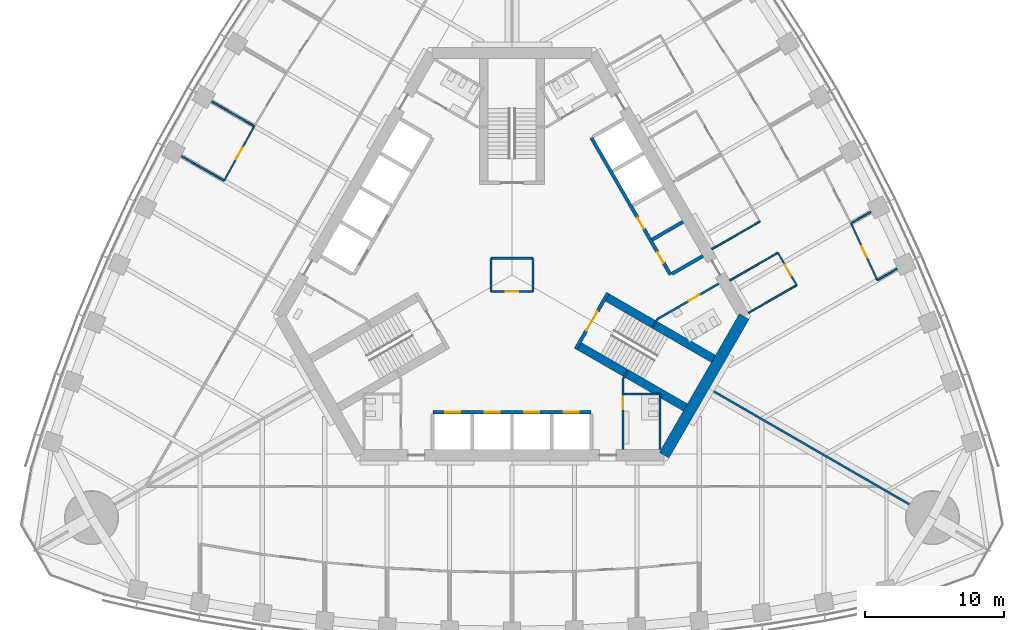
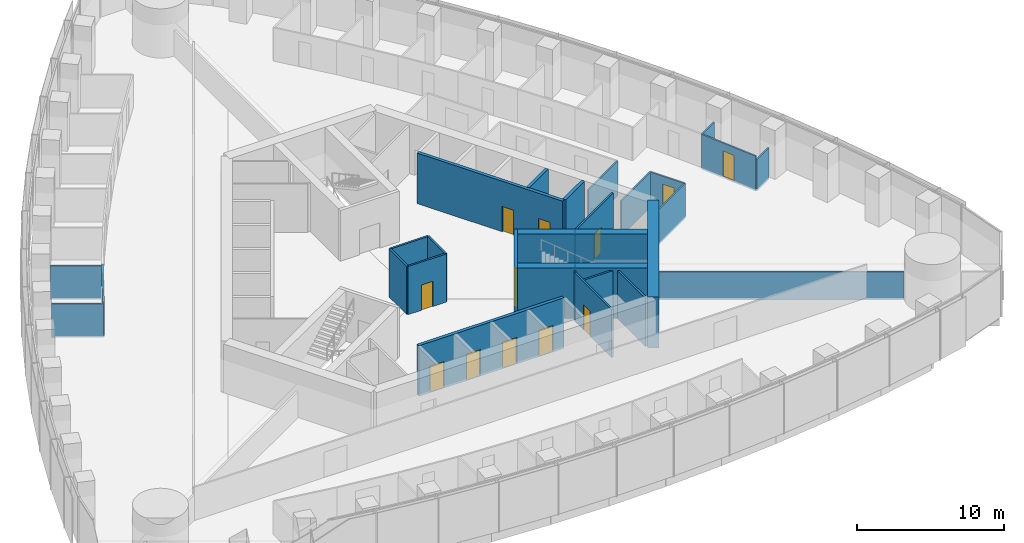
# One storey, part 13 of 21: 29 walls, 13 doors, 13 openings.
"""IFC4 building model written with IfcOpenShell, lengths in metres."""

from ifc_helpers import new_model, si_unit, direction, frame, frame_2d, origin, place, context, subcontext, project, spatial, rectangle, extrude, material, layer, layer_set, type_object, element, fill, save


model = new_model("IFC4")

# Units and contexts
model_context = context("Model", 3, precision=1e-05, world=origin(), true_north=direction((0.0, 1.0)))
body_context = subcontext(model_context, "Body", "Model", "MODEL_VIEW")
ifc_project = project(units=[si_unit("LENGTHUNIT", "METRE"), si_unit("AREAUNIT", "SQUARE_METRE"), si_unit("VOLUMEUNIT", "CUBIC_METRE"), si_unit("PLANEANGLEUNIT", "RADIAN"), si_unit("MASSUNIT", "GRAM", prefix="KILO")], contexts=[model_context])

# Site, building, storey
site_placement = place(None, origin())
site = spatial("IfcSite", under=ifc_project, at=site_placement, CompositionType="ELEMENT")
building_placement = place(site_placement, origin())
building = spatial("IfcBuilding", under=site, at=building_placement, Name="Trefoil Bronze Tower", CompositionType="ELEMENT")
storey_placement = place(building_placement, frame((0.0, 0.0, 153.5)))
storey = spatial("IfcBuildingStorey", under=building, at=storey_placement, Name="L35", CompositionType="ELEMENT", Elevation=153.5)

# Wall
ifc_material_1 = material(Name="Concrete B80", Category="concrete")
ifc_layer_1 = layer(ifc_material_1, 0.800048828125)
ifc_layer_set_1 = layer_set([ifc_layer_1], Name="Core wall 800")
wall_type_1 = type_object("IfcWallType", Name="Core wall 800", PredefinedType="SHEAR", material=ifc_layer_set_1)
wall_1_placement = place(storey_placement, frame((10.9697265625, -13.0, 0.0), z_axis=(0.0, 0.0, 1.0), x_axis=(0.499995765644, 0.866027848477, 0.0)))
element("IfcWall", 1, at=wall_1_placement, inside=storey, type_object=wall_type_1, Name="Core short wall 1 L35", PredefinedType="SHEAR", context=body_context, shape_type="SweptSolid", body=[
    extrude(rectangle(XDim=11.546875, YDim=0.800048828125, at=frame_2d((5.7734375, 0.0))), origin(), (0.0, 0.0, 1.0), 4.199951171875),
])

# Wall, opening, door
ifc_material_2 = material(Name="Glazed partition", Category="glass")
ifc_layer_2 = layer(ifc_material_2, 0.1201171875)
ifc_layer_set_2 = layer_set([ifc_layer_2], Name="Glazed partition 120")
wall_type_2 = type_object("IfcWallType", Name="Glazed partition 120", PredefinedType="PARTITIONING", material=ifc_layer_set_2)
wall_2_placement = place(storey_placement, frame((20.518798828125, -0.73974609375, 0.0), z_axis=(0.0, 0.0, 1.0), x_axis=(-0.4999416173, 0.866059108428, 0.0)))
wall_2 = element("IfcWall", 2, at=wall_2_placement, inside=storey, type_object=wall_type_2, Name="Partition F2 L35", PredefinedType="PARTITIONING", context=body_context, shape_type="SweptSolid", body=[
    extrude(rectangle(XDim=2.699951171875, YDim=0.1201171875, at=frame_2d((1.35009765625, 0.0))), origin(), (0.0, 0.0, 1.0), 2.89990234375),
])
opening_1_placement = place(wall_2_placement, frame((0.800048828125, 0.0, 0.14990234375)))
opening_1 = element("IfcOpeningElement", 3, at=opening_1_placement, cuts=wall_2, Name="Opening D8", PredefinedType="OPENING", context=body_context, shape_type="SweptSolid", body=[
    extrude(rectangle(XDim=0.89990234375, YDim=2.10009765625, at=frame_2d((0.449951171875, 1.050048828125))), frame((0.0, 0.070068359375, 0.0), z_axis=(0.0, -1.0, 0.0), x_axis=(1.0, 0.0, 0.0)), (0.0, 0.0, 1.0), 0.14013671875),
])
ifc_material_3 = material(Name="Timber door", Category="wood")
door_type_1 = type_object("IfcDoorType", Name="Office door 900", OperationType="SINGLE_SWING_LEFT", PredefinedType="DOOR", material=ifc_material_3)
door_1_placement = place(opening_1_placement, origin())
door_1 = element("IfcDoor", 4, at=door_1_placement, inside=storey, type_object=door_type_1, Name="Pantry door F2 L35", OperationType="SINGLE_SWING_LEFT", OverallHeight=2.10009765625, OverallWidth=0.89990234375, PredefinedType="DOOR", context=body_context, shape_type="SweptSolid", body=[
    extrude(rectangle(XDim=0.89990234375, YDim=2.10009765625, at=frame_2d((0.449951171875, 1.050048828125))), frame((0.0, 0.02490234375, 0.0), z_axis=(0.0, -1.0, 0.0), x_axis=(1.0, 0.0, 0.0)), (0.0, 0.0, 1.0), 0.050048828125),
])
fill(opening_1, door_1)

# Walls
for number, where, z_axis, x_axis, name in (
    (5, (17.0546875, -2.73974609375, 0.0), (0.0, 0.0, 1.0), (0.866026010844, 0.49999894854, 0.0), "Partition F2 L35"),
    (6, (14.40478515625, 1.850341796875, 0.0), (0.0, 0.0, 1.0), (0.866026010844, 0.49999894854, 0.0), "Partition F2 L35"),
    (7, (15.704833984375, -0.4013671875, 0.0), (0.0, 0.0, 1.0), (0.866026010844, 0.49999894854, 0.0), "Partition F2 L35"),
):
    element("IfcWall", number, at=place(storey_placement, frame(where, z_axis=z_axis, x_axis=x_axis)), inside=storey, type_object=wall_type_2, Name=name, PredefinedType="PARTITIONING", context=body_context, shape_type="SweptSolid", body=[
        extrude(rectangle(XDim=4.0, YDim=0.1201171875, at=frame_2d((2.0, 0.0))), origin(), (0.0, 0.0, 1.0), 2.89990234375),
    ])

# Wall, opening, door
wall_3_placement = place(storey_placement, frame((26.337646484375, -0.38232421875, 0.0), z_axis=(0.0, 0.0, 1.0), x_axis=(-0.419948870618, 0.907547765171, 0.0)))
wall_3 = element("IfcWall", 8, at=wall_3_placement, inside=storey, type_object=wall_type_2, Name="Partition F2 L35", PredefinedType="PARTITIONING", context=body_context, shape_type="SweptSolid", body=[
    extrude(rectangle(XDim=4.518310546875, YDim=0.1201171875, at=frame_2d((2.25927734375, 0.0))), origin(), (0.0, 0.0, 1.0), 2.89990234375),
])
opening_2_placement = place(wall_3_placement, frame((1.800048828125, 0.0, 0.14990234375)))
opening_2 = element("IfcOpeningElement", 9, at=opening_2_placement, cuts=wall_3, Name="Opening D8", PredefinedType="OPENING", context=body_context, shape_type="SweptSolid", body=[
    extrude(rectangle(XDim=0.89990234375, YDim=2.10009765625, at=frame_2d((0.449951171875, 1.050048828125))), frame((0.0, 0.070068359375, 0.0), z_axis=(0.0, -1.0, 0.0), x_axis=(1.0, 0.0, 0.0)), (0.0, 0.0, 1.0), 0.14013671875),
])
door_2_placement = place(opening_2_placement, frame((0.89990234375, 0.0, 0.0), z_axis=(0.0, 0.0, 1.0), x_axis=(-1.0, 0.0, 0.0)))
door_2 = element("IfcDoor", 10, at=door_2_placement, inside=storey, type_object=door_type_1, Name="Comms room door F2 L35", OperationType="SINGLE_SWING_RIGHT", OverallHeight=2.10009765625, OverallWidth=0.89990234375, PredefinedType="DOOR", context=body_context, shape_type="SweptSolid", body=[
    extrude(rectangle(XDim=0.89990234375, YDim=2.10009765625, at=frame_2d((0.449951171875, 1.050048828125))), frame((0.0, 0.02490234375, 0.0), z_axis=(0.0, -1.0, 0.0), x_axis=(1.0, 0.0, 0.0)), (0.0, 0.0, 1.0), 0.050048828125),
])
fill(opening_2, door_2)

# Walls
wall_4_placement = place(storey_placement, frame((26.337646484375, -0.38232421875, 0.0), z_axis=(0.0, 0.0, 1.0), x_axis=(0.866058885866, 0.499942002849, 0.0)))
element("IfcWall", 11, at=wall_4_placement, inside=storey, type_object=wall_type_2, Name="Partition F2 L35", PredefinedType="PARTITIONING", context=body_context, shape_type="SweptSolid", body=[
    extrude(rectangle(XDim=1.636474609375, YDim=0.1201171875, at=frame_2d((0.818359375, 0.0))), origin(), (0.0, 0.0, 1.0), 2.60009765625),
])
wall_5_placement = place(storey_placement, frame((24.440185546875, 3.71826171875, 0.0), z_axis=(0.0, 0.0, 1.0), x_axis=(0.866046869545, 0.499962818368, 0.0)))
element("IfcWall", 12, at=wall_5_placement, inside=storey, type_object=wall_type_2, Name="Partition F2 L35", PredefinedType="PARTITIONING", context=body_context, shape_type="SweptSolid", body=[
    extrude(rectangle(XDim=1.64111328125, YDim=0.1201171875, at=frame_2d((0.820556640625, 0.0))), origin(), (0.0, 0.0, 1.0), 2.89990234375),
])

# Wall, opening, door
wall_6_placement = place(storey_placement, frame((-18.575927734375, 10.724853515625, 0.0), z_axis=(0.0, 0.0, 1.0), x_axis=(-0.484292898211, -0.874905931368, 0.0)))
wall_6 = element("IfcWall", 13, at=wall_6_placement, inside=storey, type_object=wall_type_2, Name="Partition F3 L35", PredefinedType="PARTITIONING", context=body_context, shape_type="SweptSolid", body=[
    extrude(rectangle(XDim=4.500732421875, YDim=0.1201171875, at=frame_2d((2.25048828125, 0.0))), origin(), (0.0, 0.0, 1.0), 2.89990234375),
])
opening_3_placement = place(wall_6_placement, frame((1.75, 0.0, 0.14990234375)))
opening_3 = element("IfcOpeningElement", 14, at=opening_3_placement, cuts=wall_6, Name="Opening D9", PredefinedType="OPENING", context=body_context, shape_type="SweptSolid", body=[
    extrude(rectangle(XDim=1.0, YDim=2.10009765625, at=frame_2d((0.5, 1.050048828125))), frame((0.0, 0.070068359375, 0.0), z_axis=(0.0, -1.0, 0.0), x_axis=(1.0, 0.0, 0.0)), (0.0, 0.0, 1.0), 0.14013671875),
])
ifc_material_4 = material(Name="Glazed timber door", Category="wood")
door_type_2 = type_object("IfcDoorType", Name="Meeting room door 1000", OperationType="SINGLE_SWING_LEFT", PredefinedType="DOOR", material=ifc_material_4)
door_3_placement = place(opening_3_placement, frame((1.0, 0.0, 0.0), z_axis=(0.0, 0.0, 1.0), x_axis=(-1.0, 0.0, 0.0)))
door_3 = element("IfcDoor", 15, at=door_3_placement, inside=storey, type_object=door_type_2, Name="Meeting room door F3 L35", OperationType="SINGLE_SWING_RIGHT", OverallHeight=2.10009765625, OverallWidth=1.0, PredefinedType="DOOR", context=body_context, shape_type="SweptSolid", body=[
    extrude(rectangle(XDim=1.0, YDim=2.10009765625, at=frame_2d((0.5, 1.050048828125))), frame((0.0, 0.02490234375, 0.0), z_axis=(0.0, -1.0, 0.0), x_axis=(1.0, 0.0, 0.0)), (0.0, 0.0, 1.0), 0.050048828125),
])
fill(opening_3, door_3)

# Walls
wall_7_placement = place(storey_placement, frame((-18.575927734375, 10.724853515625, 0.0), z_axis=(0.0, 0.0, 1.0), x_axis=(-0.866030760678, 0.499990721473, 0.0)))
element("IfcWall", 16, at=wall_7_placement, inside=storey, type_object=wall_type_2, Name="Partition F3 L35", PredefinedType="PARTITIONING", context=body_context, shape_type="SweptSolid", body=[
    extrude(rectangle(XDim=3.544921875, YDim=0.1201171875, at=frame_2d((1.7724609375, 0.0))), origin(), (0.0, 0.0, 1.0), 2.800048828125),
])
wall_8_placement = place(storey_placement, frame((-20.755615234375, 6.787109375, 0.0), z_axis=(0.0, 0.0, 1.0), x_axis=(-0.866038754309, 0.499976875499, 0.0)))
element("IfcWall", 17, at=wall_8_placement, inside=storey, type_object=wall_type_2, Name="Partition F3 L35", PredefinedType="PARTITIONING", context=body_context, shape_type="SweptSolid", body=[
    extrude(rectangle(XDim=3.544189453125, YDim=0.1201171875, at=frame_2d((1.77197265625, 0.0))), origin(), (0.0, 0.0, 1.0), 2.800048828125),
])

# Wall, opening, door
ifc_material_5 = material(Name="Gypsum board on steel studs", Category="steel")
ifc_layer_3 = layer(ifc_material_5, 0.14990234375)
ifc_layer_set_3 = layer_set([ifc_layer_3], Name="Partition 150")
wall_type_3 = type_object("IfcWallType", Name="Partition 150", PredefinedType="PARTITIONING", material=ifc_layer_set_3)
wall_9_placement = place(storey_placement, frame((8.0, -7.5, 0.0), z_axis=(0.0, 0.0, 1.0), x_axis=(0.0, -1.0, 0.0)))
wall_9 = element("IfcWall", 18, at=wall_9_placement, inside=storey, type_object=wall_type_3, Name="Passage wall F1+ L35", PredefinedType="PARTITIONING", context=body_context, shape_type="SweptSolid", body=[
    extrude(rectangle(XDim=5.10009765625, YDim=0.14990234375, at=frame_2d((2.550048828125, 0.0))), origin(), (0.0, 0.0, 1.0), 4.0),
])
opening_4_placement = place(wall_9_placement, frame((1.300048828125, 0.0, 0.0)))
opening_4 = element("IfcOpeningElement", 19, at=opening_4_placement, cuts=wall_9, Name="Opening D3", PredefinedType="OPENING", context=body_context, shape_type="SweptSolid", body=[
    extrude(rectangle(XDim=0.89990234375, YDim=2.10009765625, at=frame_2d((0.449951171875, 1.050048828125))), frame((0.0, 0.0849609375, 0.0), z_axis=(0.0, -1.0, 0.0), x_axis=(1.0, 0.0, 0.0)), (0.0, 0.0, 1.0), 0.169921875),
])
ifc_material_6 = material(Name="Timber door", Category="wood")
door_type_3 = type_object("IfcDoorType", Name="WC door 900", OperationType="SINGLE_SWING_LEFT", PredefinedType="DOOR", material=ifc_material_6)
door_4_placement = place(opening_4_placement, origin())
door_4 = element("IfcDoor", 20, at=door_4_placement, inside=storey, type_object=door_type_3, Name="WC (men) door L35", OperationType="SINGLE_SWING_LEFT", OverallHeight=2.10009765625, OverallWidth=0.89990234375, PredefinedType="DOOR", context=body_context, shape_type="SweptSolid", body=[
    extrude(rectangle(XDim=0.89990234375, YDim=2.10009765625, at=frame_2d((0.449951171875, 1.050048828125))), frame((0.0, 0.02490234375, 0.0), z_axis=(0.0, -1.0, 0.0), x_axis=(1.0, 0.0, 0.0)), (0.0, 0.0, 1.0), 0.050048828125),
])
fill(opening_4, door_4)

wall_10_placement = place(storey_placement, frame((10.4951171875, -3.17822265625, 0.0), z_axis=(0.0, 0.0, 1.0), x_axis=(0.86602216432, 0.500005610874, 0.0)))
wall_10 = element("IfcWall", 21, at=wall_10_placement, inside=storey, type_object=wall_type_3, Name="Passage wall F2- L35", PredefinedType="PARTITIONING", context=body_context, shape_type="SweptSolid", body=[
    extrude(rectangle(XDim=5.10009765625, YDim=0.14990234375, at=frame_2d((2.550048828125, 0.0))), origin(), (0.0, 0.0, 1.0), 4.0),
])
opening_5_placement = place(wall_10_placement, frame((2.60009765625, 0.0, 0.0)))
opening_5 = element("IfcOpeningElement", 22, at=opening_5_placement, cuts=wall_10, Name="Opening D3", PredefinedType="OPENING", context=body_context, shape_type="SweptSolid", body=[
    extrude(rectangle(XDim=0.89990234375, YDim=2.10009765625, at=frame_2d((0.449951171875, 1.050048828125))), frame((0.0, 0.0849609375, 0.0), z_axis=(0.0, -1.0, 0.0), x_axis=(1.0, 0.0, 0.0)), (0.0, 0.0, 1.0), 0.169921875),
])
door_5_placement = place(opening_5_placement, frame((0.89990234375, 0.0, 0.0), z_axis=(0.0, 0.0, 1.0), x_axis=(-1.0, 0.0, 0.0)))
door_5 = element("IfcDoor", 23, at=door_5_placement, inside=storey, type_object=door_type_3, Name="WC (women) door L35", OperationType="SINGLE_SWING_LEFT", OverallHeight=2.10009765625, OverallWidth=0.89990234375, PredefinedType="DOOR", context=body_context, shape_type="SweptSolid", body=[
    extrude(rectangle(XDim=0.89990234375, YDim=2.10009765625, at=frame_2d((0.449951171875, 1.050048828125))), frame((0.0, 0.02490234375, 0.0), z_axis=(0.0, -1.0, 0.0), x_axis=(1.0, 0.0, 0.0)), (0.0, 0.0, 1.0), 0.050048828125),
])
fill(opening_5, door_5)

# Walls
for number, where, z_axis, x_axis, name in (
    (24, (8.0, -7.5, 0.0), (0.0, 0.0, 1.0), (0.499842556608, 0.866116284689, 0.0), "WC wall ST1-1 L35"),
    (25, (10.4951171875, -3.17822265625, 0.0), (0.0, 0.0, 1.0), (-0.499842556608, -0.866116284689, 0.0), "WC wall ST1+1 L35"),
):
    element("IfcWall", number, at=place(storey_placement, frame(where, z_axis=z_axis, x_axis=x_axis)), inside=storey, type_object=wall_type_3, Name=name, PredefinedType="PARTITIONING", context=body_context, shape_type="SweptSolid", body=[
        extrude(rectangle(XDim=0.645263671875, YDim=0.14990234375, at=frame_2d((0.32275390625, 0.0))), origin(), (0.0, 0.0, 1.0), 4.0),
    ])
wall_11_placement = place(storey_placement, frame((10.659912109375, -8.5, 0.0), z_axis=(0.0, 0.0, 1.0), x_axis=(0.0, -1.0, 0.0)))
element("IfcWall", 26, at=wall_11_placement, inside=storey, type_object=wall_type_3, Name="WC partition WC (men) L35", PredefinedType="PARTITIONING", context=body_context, shape_type="SweptSolid", body=[
    extrude(rectangle(XDim=4.10009765625, YDim=0.14990234375, at=frame_2d((2.050048828125, 0.0))), origin(), (0.0, 0.0, 1.0), 4.0),
])
wall_12_placement = place(storey_placement, frame((8.074951171875, -8.574951171875, 0.0), z_axis=(0.0, 0.0, 1.0), x_axis=(1.0, 0.0, 0.0)))
element("IfcWall", 27, at=wall_12_placement, inside=storey, type_object=wall_type_3, Name="WC partition WC (men) L35", PredefinedType="PARTITIONING", context=body_context, shape_type="SweptSolid", body=[
    extrude(rectangle(XDim=2.510009765625, YDim=0.14990234375, at=frame_2d((1.2548828125, 0.0))), origin(), (0.0, 0.0, 1.0), 4.0),
])
ifc_material_7 = material(Name="Gypsum board on steel studs", Category="steel")
ifc_layer_4 = layer(ifc_material_7, 0.14990234375)
ifc_layer_set_4 = layer_set([ifc_layer_4], Name="Party wall 150")
wall_type_4 = type_object("IfcWallType", Name="Party wall 150", PredefinedType="PARTITIONING", material=ifc_layer_set_4)
wall_13_placement = place(storey_placement, frame((14.202880859375, -8.199951171875, 0.0), z_axis=(0.0, 0.0, 1.0), x_axis=(0.866024668836, -0.500001272966, 0.0)))
element("IfcWall", 28, at=wall_13_placement, inside=storey, type_object=wall_type_4, Name="Party wall K1 L35", PredefinedType="PARTITIONING", context=body_context, shape_type="SweptSolid", body=[
    extrude(rectangle(XDim=16.64990234375, YDim=0.14990234375, at=frame_2d((8.324951171875, 0.0))), origin(), (0.0, 0.0, 1.0), 2.300048828125),
])

# Wall, opening, door
ifc_material_8 = material(Name="Gypsum board on steel studs", Category="steel")
ifc_layer_5 = layer(ifc_material_8, 0.14990234375)
ifc_layer_set_5 = layer_set([ifc_layer_5], Name="Riser wall 150")
wall_type_5 = type_object("IfcWallType", Name="Riser wall 150", PredefinedType="PARTITIONING", material=ifc_layer_set_5)
wall_14_placement = place(storey_placement, frame((-1.5, -1.199951171875, 0.0), z_axis=(0.0, 0.0, 1.0), x_axis=(1.0, 0.0, 0.0)))
wall_14 = element("IfcWall", 29, at=wall_14_placement, inside=storey, type_object=wall_type_5, Name="Riser wall L35", PredefinedType="PARTITIONING", context=body_context, shape_type="SweptSolid", body=[
    extrude(rectangle(XDim=3.0, YDim=0.14990234375, at=frame_2d((1.5, 0.0))), origin(), (0.0, 0.0, 1.0), 4.0),
])
opening_6_placement = place(wall_14_placement, frame((1.050048828125, 0.0, 0.0)))
opening_6 = element("IfcOpeningElement", 30, at=opening_6_placement, cuts=wall_14, Name="Opening D4", PredefinedType="OPENING", context=body_context, shape_type="SweptSolid", body=[
    extrude(rectangle(XDim=0.89990234375, YDim=2.10009765625, at=frame_2d((0.449951171875, 1.050048828125))), frame((0.0, 0.0849609375, 0.0), z_axis=(0.0, -1.0, 0.0), x_axis=(1.0, 0.0, 0.0)), (0.0, 0.0, 1.0), 0.169921875),
])
ifc_material_9 = material(Name="Steel door", Category="steel")
door_type_4 = type_object("IfcDoorType", Name="Riser door 900", OperationType="SINGLE_SWING_LEFT", PredefinedType="DOOR", material=ifc_material_9)
door_6_placement = place(opening_6_placement, frame((0.89990234375, 0.0, 0.0), z_axis=(0.0, 0.0, 1.0), x_axis=(-1.0, 0.0, 0.0)))
door_6 = element("IfcDoor", 31, at=door_6_placement, inside=storey, type_object=door_type_4, Name="Riser door L35", OperationType="SINGLE_SWING_LEFT", OverallHeight=2.10009765625, OverallWidth=0.89990234375, PredefinedType="DOOR", context=body_context, shape_type="SweptSolid", body=[
    extrude(rectangle(XDim=0.89990234375, YDim=2.10009765625, at=frame_2d((0.449951171875, 1.050048828125))), frame((0.0, 0.02490234375, 0.0), z_axis=(0.0, -1.0, 0.0), x_axis=(1.0, 0.0, 0.0)), (0.0, 0.0, 1.0), 0.050048828125),
])
fill(opening_6, door_6)

# Walls
wall_15_placement = place(storey_placement, frame((1.5, -1.199951171875, 0.0), z_axis=(0.0, 0.0, 1.0), x_axis=(0.0, 1.0, 0.0)))
element("IfcWall", 32, at=wall_15_placement, inside=storey, type_object=wall_type_5, Name="Riser wall L35", PredefinedType="PARTITIONING", context=body_context, shape_type="SweptSolid", body=[
    extrude(rectangle(XDim=2.39990234375, YDim=0.14990234375, at=frame_2d((1.199951171875, 0.0))), origin(), (0.0, 0.0, 1.0), 4.0),
])
wall_16_placement = place(storey_placement, frame((1.5, 1.199951171875, 0.0), z_axis=(0.0, 0.0, 1.0), x_axis=(-1.0, 0.0, 0.0)))
element("IfcWall", 33, at=wall_16_placement, inside=storey, type_object=wall_type_5, Name="Riser wall L35", PredefinedType="PARTITIONING", context=body_context, shape_type="SweptSolid", body=[
    extrude(rectangle(XDim=3.0, YDim=0.14990234375, at=frame_2d((1.5, 0.0))), origin(), (0.0, 0.0, 1.0), 4.0),
])
wall_17_placement = place(storey_placement, frame((-1.5, 1.199951171875, 0.0), z_axis=(0.0, 0.0, 1.0), x_axis=(0.0, -1.0, 0.0)))
element("IfcWall", 34, at=wall_17_placement, inside=storey, type_object=wall_type_5, Name="Riser wall L35", PredefinedType="PARTITIONING", context=body_context, shape_type="SweptSolid", body=[
    extrude(rectangle(XDim=2.39990234375, YDim=0.14990234375, at=frame_2d((1.199951171875, 0.0))), origin(), (0.0, 0.0, 1.0), 4.0),
])

# Wall, openings, doors
ifc_material_10 = material(Name="Concrete B80", Category="concrete")
ifc_layer_6 = layer(ifc_material_10, 0.25)
ifc_layer_set_6 = layer_set([ifc_layer_6], Name="Shaft wall 250")
wall_type_6 = type_object("IfcWallType", Name="Shaft wall 250", PredefinedType="SHEAR", material=ifc_layer_set_6)
wall_18_placement = place(storey_placement, frame((-5.699951171875, -9.89990234375, 0.0), z_axis=(0.0, 0.0, 1.0), x_axis=(1.0, 0.0, 0.0)))
wall_18 = element("IfcWall", 35, at=wall_18_placement, inside=storey, type_object=wall_type_6, Name="Lift shaft front wall A L35", PredefinedType="SHEAR", context=body_context, shape_type="SweptSolid", body=[
    extrude(rectangle(XDim=11.39990234375, YDim=0.25, at=frame_2d((5.699951171875, 0.0))), origin(), (0.0, 0.0, 1.0), 4.199951171875),
])
opening_7_placement = place(wall_18_placement, frame((0.875, 0.0, 0.0)))
opening_7 = element("IfcOpeningElement", 36, at=opening_7_placement, cuts=wall_18, Name="Opening LD-P21", PredefinedType="OPENING", context=body_context, shape_type="SweptSolid", body=[
    extrude(rectangle(XDim=1.10009765625, YDim=2.199951171875, at=frame_2d((0.550048828125, 1.10009765625))), frame((0.0, 0.135009765625, 0.0), z_axis=(0.0, -1.0, 0.0), x_axis=(1.0, 0.0, 0.0)), (0.0, 0.0, 1.0), 0.27001953125),
])
opening_8_placement = place(wall_18_placement, frame((3.72509765625, 0.0, 0.0)))
opening_8 = element("IfcOpeningElement", 37, at=opening_8_placement, cuts=wall_18, Name="Opening LD-P22", PredefinedType="OPENING", context=body_context, shape_type="SweptSolid", body=[
    extrude(rectangle(XDim=1.10009765625, YDim=2.199951171875, at=frame_2d((0.550048828125, 1.10009765625))), frame((0.0, 0.135009765625, 0.0), z_axis=(0.0, -1.0, 0.0), x_axis=(1.0, 0.0, 0.0)), (0.0, 0.0, 1.0), 0.27001953125),
])
opening_9_placement = place(wall_18_placement, frame((6.574951171875, 0.0, 0.0)))
opening_9 = element("IfcOpeningElement", 38, at=opening_9_placement, cuts=wall_18, Name="Opening LD-P23", PredefinedType="OPENING", context=body_context, shape_type="SweptSolid", body=[
    extrude(rectangle(XDim=1.10009765625, YDim=2.199951171875, at=frame_2d((0.550048828125, 1.10009765625))), frame((0.0, 0.135009765625, 0.0), z_axis=(0.0, -1.0, 0.0), x_axis=(1.0, 0.0, 0.0)), (0.0, 0.0, 1.0), 0.27001953125),
])
opening_10_placement = place(wall_18_placement, frame((9.425048828125, 0.0, 0.0)))
opening_10 = element("IfcOpeningElement", 39, at=opening_10_placement, cuts=wall_18, Name="Opening LD-P24", PredefinedType="OPENING", context=body_context, shape_type="SweptSolid", body=[
    extrude(rectangle(XDim=1.10009765625, YDim=2.199951171875, at=frame_2d((0.550048828125, 1.10009765625))), frame((0.0, 0.135009765625, 0.0), z_axis=(0.0, -1.0, 0.0), x_axis=(1.0, 0.0, 0.0)), (0.0, 0.0, 1.0), 0.27001953125),
])
ifc_material_11 = material(Name="Steel door", Category="steel")
door_type_5 = type_object("IfcDoorType", Name="Lift landing door 1100", OperationType="DOUBLE_DOOR_SLIDING", PredefinedType="DOOR", material=ifc_material_11)
door_7_placement = place(opening_7_placement, origin())
door_7 = element("IfcDoor", 40, at=door_7_placement, inside=storey, type_object=door_type_5, Name="Lift P21 landing door L35", OperationType="DOUBLE_DOOR_SLIDING", OverallHeight=2.199951171875, OverallWidth=1.10009765625, PredefinedType="DOOR", context=body_context, shape_type="SweptSolid", body=[
    extrude(rectangle(XDim=1.10009765625, YDim=2.199951171875, at=frame_2d((0.550048828125, 1.10009765625))), frame((0.0, 0.02490234375, 0.0), z_axis=(0.0, -1.0, 0.0), x_axis=(1.0, 0.0, 0.0)), (0.0, 0.0, 1.0), 0.050048828125),
])
fill(opening_7, door_7)
door_8_placement = place(opening_8_placement, origin())
door_8 = element("IfcDoor", 41, at=door_8_placement, inside=storey, type_object=door_type_5, Name="Lift P22 landing door L35", OperationType="DOUBLE_DOOR_SLIDING", OverallHeight=2.199951171875, OverallWidth=1.10009765625, PredefinedType="DOOR", context=body_context, shape_type="SweptSolid", body=[
    extrude(rectangle(XDim=1.10009765625, YDim=2.199951171875, at=frame_2d((0.550048828125, 1.10009765625))), frame((0.0, 0.02490234375, 0.0), z_axis=(0.0, -1.0, 0.0), x_axis=(1.0, 0.0, 0.0)), (0.0, 0.0, 1.0), 0.050048828125),
])
fill(opening_8, door_8)
door_9_placement = place(opening_9_placement, origin())
door_9 = element("IfcDoor", 42, at=door_9_placement, inside=storey, type_object=door_type_5, Name="Lift P23 landing door L35", OperationType="DOUBLE_DOOR_SLIDING", OverallHeight=2.199951171875, OverallWidth=1.10009765625, PredefinedType="DOOR", context=body_context, shape_type="SweptSolid", body=[
    extrude(rectangle(XDim=1.10009765625, YDim=2.199951171875, at=frame_2d((0.550048828125, 1.10009765625))), frame((0.0, 0.02490234375, 0.0), z_axis=(0.0, -1.0, 0.0), x_axis=(1.0, 0.0, 0.0)), (0.0, 0.0, 1.0), 0.050048828125),
])
fill(opening_9, door_9)
door_10_placement = place(opening_10_placement, origin())
door_10 = element("IfcDoor", 43, at=door_10_placement, inside=storey, type_object=door_type_5, Name="Lift P24 landing door L35", OperationType="DOUBLE_DOOR_SLIDING", OverallHeight=2.199951171875, OverallWidth=1.10009765625, PredefinedType="DOOR", context=body_context, shape_type="SweptSolid", body=[
    extrude(rectangle(XDim=1.10009765625, YDim=2.199951171875, at=frame_2d((0.550048828125, 1.10009765625))), frame((0.0, 0.02490234375, 0.0), z_axis=(0.0, -1.0, 0.0), x_axis=(1.0, 0.0, 0.0)), (0.0, 0.0, 1.0), 0.050048828125),
])
fill(opening_10, door_10)

wall_19_placement = place(storey_placement, frame((11.423583984375, 0.013671875, 0.0), z_axis=(0.0, 0.0, 1.0), x_axis=(-0.500001763848, 0.866024385424, 0.0)))
wall_19 = element("IfcWall", 44, at=wall_19_placement, inside=storey, type_object=wall_type_6, Name="Lift shaft front wall B L35", PredefinedType="SHEAR", context=body_context, shape_type="SweptSolid", body=[
    extrude(rectangle(XDim=11.39990234375, YDim=0.25, at=frame_2d((5.699951171875, 0.0))), origin(), (0.0, 0.0, 1.0), 4.199951171875),
])
opening_11_placement = place(wall_19_placement, frame((0.97509765625, 0.0, 0.0)))
opening_11 = element("IfcOpeningElement", 45, at=opening_11_placement, cuts=wall_19, Name="Opening D12", PredefinedType="OPENING", context=body_context, shape_type="SweptSolid", body=[
    extrude(rectangle(XDim=0.89990234375, YDim=2.10009765625, at=frame_2d((0.449951171875, 1.050048828125))), frame((0.0, 0.135009765625, 0.0), z_axis=(0.0, -1.0, 0.0), x_axis=(1.0, 0.0, 0.0)), (0.0, 0.0, 1.0), 0.27001953125),
])
opening_12_placement = place(wall_19_placement, frame((3.824951171875, 0.0, 0.0)))
opening_12 = element("IfcOpeningElement", 46, at=opening_12_placement, cuts=wall_19, Name="Opening D12", PredefinedType="OPENING", context=body_context, shape_type="SweptSolid", body=[
    extrude(rectangle(XDim=0.89990234375, YDim=2.10009765625, at=frame_2d((0.449951171875, 1.050048828125))), frame((0.0, 0.135009765625, 0.0), z_axis=(0.0, -1.0, 0.0), x_axis=(1.0, 0.0, 0.0)), (0.0, 0.0, 1.0), 0.27001953125),
])
ifc_material_12 = material(Name="Steel door", Category="steel")
door_type_6 = type_object("IfcDoorType", Name="Shaft room door 900", OperationType="SINGLE_SWING_LEFT", PredefinedType="DOOR", material=ifc_material_12)
door_11_placement = place(opening_11_placement, frame((0.89990234375, 0.0, 0.0), z_axis=(0.0, 0.0, 1.0), x_axis=(-1.0, 0.0, 0.0)))
door_11 = element("IfcDoor", 47, at=door_11_placement, inside=storey, type_object=door_type_6, Name="Shaft room door B1 L35", OperationType="SINGLE_SWING_LEFT", OverallHeight=2.10009765625, OverallWidth=0.89990234375, PredefinedType="DOOR", context=body_context, shape_type="SweptSolid", body=[
    extrude(rectangle(XDim=0.89990234375, YDim=2.10009765625, at=frame_2d((0.449951171875, 1.050048828125))), frame((0.0, 0.02490234375, 0.0), z_axis=(0.0, -1.0, 0.0), x_axis=(1.0, 0.0, 0.0)), (0.0, 0.0, 1.0), 0.050048828125),
])
fill(opening_11, door_11)
door_12_placement = place(opening_12_placement, frame((0.89990234375, 0.0, 0.0), z_axis=(0.0, 0.0, 1.0), x_axis=(-1.0, 0.0, 0.0)))
door_12 = element("IfcDoor", 48, at=door_12_placement, inside=storey, type_object=door_type_6, Name="Shaft room door B2 L35", OperationType="SINGLE_SWING_RIGHT", OverallHeight=2.10009765625, OverallWidth=0.89990234375, PredefinedType="DOOR", context=body_context, shape_type="SweptSolid", body=[
    extrude(rectangle(XDim=0.89990234375, YDim=2.10009765625, at=frame_2d((0.449951171875, 1.050048828125))), frame((0.0, 0.02490234375, 0.0), z_axis=(0.0, -1.0, 0.0), x_axis=(1.0, 0.0, 0.0)), (0.0, 0.0, 1.0), 0.050048828125),
])
fill(opening_12, door_12)

# Walls
for number, where, z_axis, x_axis, name in (
    (49, (11.531982421875, 0.076171875, 0.0), (0.0, 0.0, 1.0), (0.866005588531, 0.500034319456, 0.0), "Lift shaft side wall B0 L35"),
    (50, (10.10693359375, 2.54443359375, 0.0), (0.0, 0.0, 1.0), (0.866046643894, 0.499963209246, 0.0), "Lift shaft side wall B1 L35"),
):
    element("IfcWall", number, at=place(storey_placement, frame(where, z_axis=z_axis, x_axis=x_axis)), inside=storey, type_object=wall_type_6, Name=name, PredefinedType="SHEAR", context=body_context, shape_type="SweptSolid", body=[
        extrude(rectangle(XDim=2.574951171875, YDim=0.25, at=frame_2d((1.28759765625, 0.0))), origin(), (0.0, 0.0, 1.0), 4.199951171875),
    ])

# Wall, opening, door
wall_20_placement = place(storey_placement, frame((4.5966796875, -5.338623046875, 0.0), z_axis=(0.0, 0.0, 1.0), x_axis=(0.499984536904, 0.866034331223, 0.0)))
wall_20 = element("IfcWall", 51, at=wall_20_placement, inside=storey, type_object=wall_type_6, Name="Stair end wall ST1 L35", PredefinedType="SHEAR", context=body_context, shape_type="SweptSolid", body=[
    extrude(rectangle(XDim=4.650146484375, YDim=0.25, at=frame_2d((2.3251953125, 0.0))), origin(), (0.0, 0.0, 1.0), 4.199951171875),
])
opening_13_placement = place(wall_20_placement, frame((1.52490234375, 0.0, 0.0)))
opening_13 = element("IfcOpeningElement", 52, at=opening_13_placement, cuts=wall_20, Name="Opening D1", PredefinedType="OPENING", context=body_context, shape_type="SweptSolid", body=[
    extrude(rectangle(XDim=1.60009765625, YDim=2.10009765625, at=frame_2d((0.800048828125, 1.050048828125))), frame((0.0, 0.135009765625, 0.0), z_axis=(0.0, -1.0, 0.0), x_axis=(1.0, 0.0, 0.0)), (0.0, 0.0, 1.0), 0.27001953125),
])
ifc_material_13 = material(Name="Steel door", Category="steel")
door_type_7 = type_object("IfcDoorType", Name="Stair door 1600", OperationType="DOUBLE_DOOR_SINGLE_SWING", PredefinedType="DOOR", material=ifc_material_13)
door_13_placement = place(opening_13_placement, frame((1.60009765625, 0.0, 0.0), z_axis=(0.0, 0.0, 1.0), x_axis=(-1.0, 0.0, 0.0)))
door_13 = element("IfcDoor", 53, at=door_13_placement, inside=storey, type_object=door_type_7, Name="Stair door ST1 L35", OperationType="DOUBLE_DOOR_SINGLE_SWING", OverallHeight=2.10009765625, OverallWidth=1.60009765625, PredefinedType="DOOR", context=body_context, shape_type="SweptSolid", body=[
    extrude(rectangle(XDim=1.60009765625, YDim=2.10009765625, at=frame_2d((0.800048828125, 1.050048828125))), frame((0.0, 0.02490234375, 0.0), z_axis=(0.0, -1.0, 0.0), x_axis=(1.0, 0.0, 0.0)), (0.0, 0.0, 1.0), 0.050048828125),
])
fill(opening_13, door_13)

# Walls
ifc_material_14 = material(Name="Concrete B80", Category="concrete")
ifc_layer_7 = layer(ifc_material_14, 0.60009765625)
ifc_layer_set_7 = layer_set([ifc_layer_7], Name="Stair wall 600")
wall_type_7 = type_object("IfcWallType", Name="Stair wall 600", PredefinedType="SHEAR", material=ifc_layer_set_7)
for number, where, z_axis, x_axis, name in (
    (54, (4.638427734375, -5.01611328125, 0.0), (0.0, 0.0, 1.0), (0.866019375473, -0.500010441196, 0.0), "Stair wall ST1 L35"),
    (55, (6.663330078125, -1.5087890625, 0.0), (0.0, 0.0, 1.0), (0.866019375473, -0.500010441196, 0.0), "Stair wall ST1 L35"),
):
    element("IfcWall", number, at=place(storey_placement, frame(where, z_axis=z_axis, x_axis=x_axis)), inside=storey, type_object=wall_type_7, Name=name, PredefinedType="SHEAR", context=body_context, shape_type="SweptSolid", body=[
        extrude(rectangle(XDim=9.074951171875, YDim=0.60009765625, at=frame_2d((4.53759765625, 0.0))), origin(), (0.0, 0.0, 1.0), 4.199951171875),
    ])

save(model, "model.ifc")
